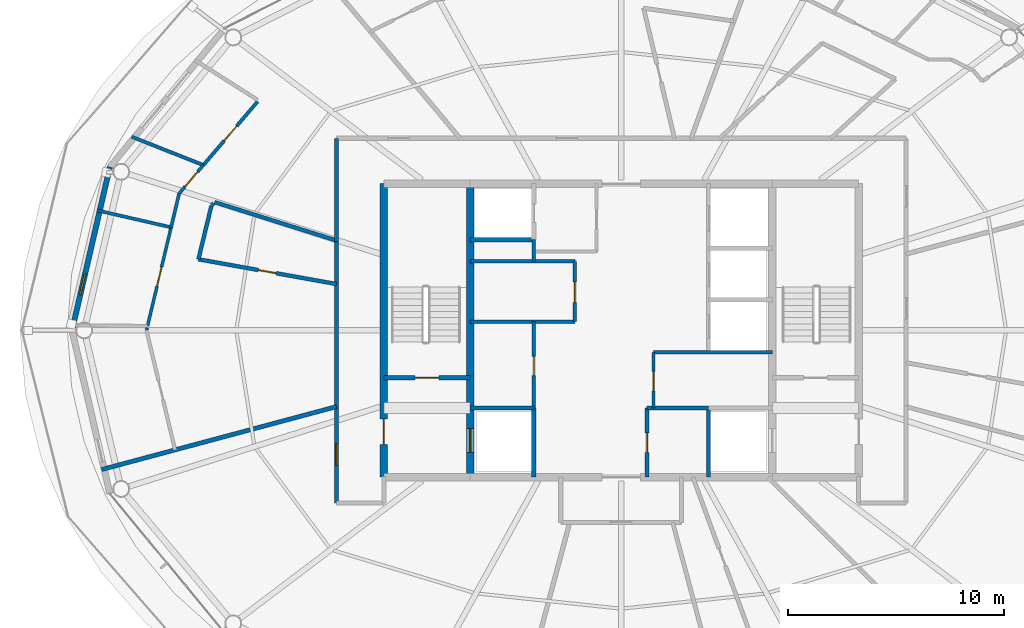
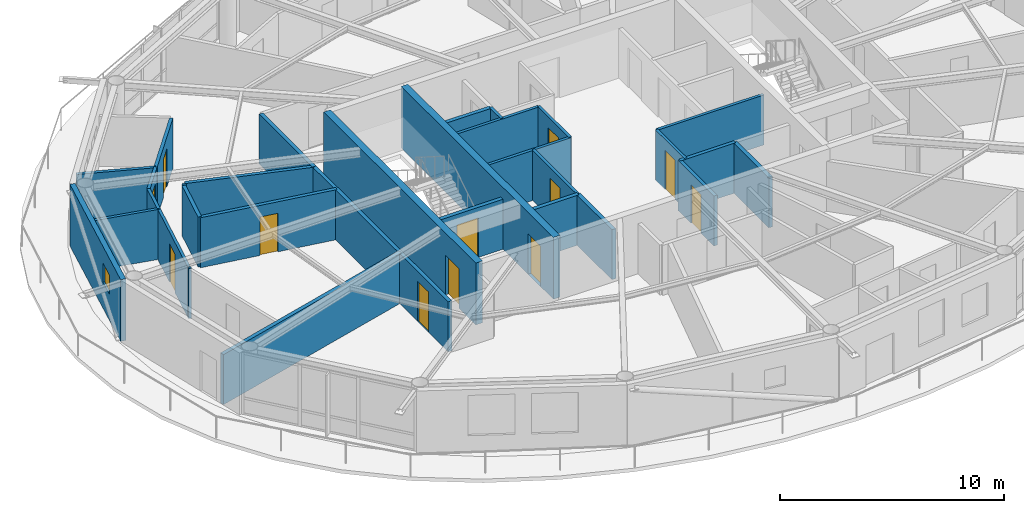
# One storey, part 16 of 23: 31 walls, 12 doors, 1 window, 13 openings.
"""IFC4 building model written with IfcOpenShell, lengths in metres."""

from ifc_helpers import new_model, si_unit, direction, frame, frame_2d, origin, place, context, subcontext, project, spatial, rectangle, extrude, material, layer, layer_set, type_object, element, fill, save


model = new_model("IFC4")

# Units and contexts
model_context = context("Model", 3, precision=1e-05, world=origin(), true_north=direction((0.0, 1.0)))
body_context = subcontext(model_context, "Body", "Model", "MODEL_VIEW")
ifc_project = project(units=[si_unit("LENGTHUNIT", "METRE"), si_unit("AREAUNIT", "SQUARE_METRE"), si_unit("VOLUMEUNIT", "CUBIC_METRE"), si_unit("PLANEANGLEUNIT", "RADIAN"), si_unit("MASSUNIT", "GRAM", prefix="KILO")], contexts=[model_context])

# Site, building, storey
site_placement = place(None, origin())
site = spatial("IfcSite", under=ifc_project, at=site_placement, CompositionType="ELEMENT")
building_placement = place(site_placement, origin())
building = spatial("IfcBuilding", under=site, at=building_placement, Name="Sarneth Arch Tower", CompositionType="ELEMENT")
storey_placement = place(building_placement, frame((0.0, 0.0, 269.39990234375)))
storey = spatial("IfcBuildingStorey", under=building, at=storey_placement, Name="L69", CompositionType="ELEMENT", Elevation=269.39990234375)

# Wall, opening, door
ifc_material_1 = material(Name="Concrete C50/60", Category="concrete")
ifc_layer_1 = layer(ifc_material_1, 0.35009765625)
ifc_layer_set_1 = layer_set([ifc_layer_1], Name="Concrete C50/60")
wall_type_1 = type_object("IfcWallType", Name="WALL-CORE-350", PredefinedType="SHEAR", material=ifc_layer_set_1)
wall_1_placement = place(storey_placement, frame((37.0, 35.199951171875, 0.0), z_axis=(0.0, 0.0, 1.0), x_axis=(0.0, 1.0, 0.0)))
wall_1 = element("IfcWall", 1, at=wall_1_placement, inside=storey, type_object=wall_type_1, Name="L69 Core shear wall W", PredefinedType="SHEAR", context=body_context, shape_type="SweptSolid", body=[
    extrude(rectangle(XDim=13.60009765625, YDim=0.35009765625, at=frame_2d((6.800048828125, 0.0))), origin(), (0.0, 0.0, 1.0), 3.3701171875),
])
opening_1_placement = place(wall_1_placement, frame((1.5, 0.0, 0.0)))
opening_1 = element("IfcOpeningElement", 2, at=opening_1_placement, cuts=wall_1, Name="Opening FD-02", PredefinedType="OPENING", context=body_context, shape_type="SweptSolid", body=[
    extrude(rectangle(XDim=1.199951171875, YDim=2.14990234375, at=frame_2d((0.60009765625, 1.074951171875))), frame((0.0, 0.18505859375, 0.0), z_axis=(0.0, -1.0, 0.0), x_axis=(1.0, 0.0, 0.0)), (0.0, 0.0, 1.0), 0.3701171875),
])
ifc_material_2 = material(Name="Galvanised Steel S275 fire door set", Category="steel")
door_type_1 = type_object("IfcDoorType", Name="DR-FD90-1200", OperationType="SINGLE_SWING_LEFT", PredefinedType="DOOR", material=ifc_material_2)
door_1_placement = place(opening_1_placement, origin())
door_1 = element("IfcDoor", 3, at=door_1_placement, inside=storey, type_object=door_type_1, Name="L69 Firefighting lobby 1 exit door", OperationType="SINGLE_SWING_LEFT", OverallHeight=2.14990234375, OverallWidth=1.199951171875, PredefinedType="DOOR", context=body_context, shape_type="SweptSolid", body=[
    extrude(rectangle(XDim=1.199951171875, YDim=2.14990234375, at=frame_2d((0.60009765625, 1.074951171875))), frame((0.0, 0.02490234375, 0.0), z_axis=(0.0, -1.0, 0.0), x_axis=(1.0, 0.0, 0.0)), (0.0, 0.0, 1.0), 0.050048828125),
])
fill(opening_1, door_1)

wall_2_placement = place(storey_placement, frame((41.0, 35.199951171875, 0.0), z_axis=(0.0, 0.0, 1.0), x_axis=(0.0, 1.0, 0.0)))
wall_2 = element("IfcWall", 4, at=wall_2_placement, inside=storey, type_object=wall_type_1, Name="L69 Core shear wall WEB-W", PredefinedType="SHEAR", context=body_context, shape_type="SweptSolid", body=[
    extrude(rectangle(XDim=13.60009765625, YDim=0.35009765625, at=frame_2d((6.800048828125, 0.0))), origin(), (0.0, 0.0, 1.0), 3.3701171875),
])
opening_2_placement = place(wall_2_placement, frame((1.14990234375, 0.0, 0.0)))
opening_2 = element("IfcOpeningElement", 5, at=opening_2_placement, cuts=wall_2, Name="Opening LD-1", PredefinedType="OPENING", context=body_context, shape_type="SweptSolid", body=[
    extrude(rectangle(XDim=1.10009765625, YDim=2.199951171875, at=frame_2d((0.550048828125, 1.10009765625))), frame((0.0, 0.18505859375, 0.0), z_axis=(0.0, -1.0, 0.0), x_axis=(1.0, 0.0, 0.0)), (0.0, 0.0, 1.0), 0.3701171875),
])
ifc_material_3 = material(Name="Brushed Stainless Steel 304 lift landing door", Category="steel")
door_type_2 = type_object("IfcDoorType", Name="DR-LIFT-SLIDE-1100", OperationType="SLIDING_TO_LEFT", PredefinedType="DOOR", material=ifc_material_3)
door_2_placement = place(opening_2_placement, origin())
door_2 = element("IfcDoor", 6, at=door_2_placement, inside=storey, type_object=door_type_2, Name="L69 Firefighting lift landing door FL-1", OperationType="SLIDING_TO_LEFT", OverallHeight=2.199951171875, OverallWidth=1.10009765625, PredefinedType="DOOR", context=body_context, shape_type="SweptSolid", body=[
    extrude(rectangle(XDim=1.10009765625, YDim=2.199951171875, at=frame_2d((0.550048828125, 1.10009765625))), frame((0.0, 0.02490234375, 0.0), z_axis=(0.0, -1.0, 0.0), x_axis=(1.0, 0.0, 0.0)), (0.0, 0.0, 1.0), 0.050048828125),
])
fill(opening_2, door_2)

ifc_material_4 = material(Name="Double steel-stud corridor fire wall", Category="steel")
ifc_layer_2 = layer(ifc_material_4, 0.18994140625)
ifc_layer_set_2 = layer_set([ifc_layer_2], Name="Double steel-stud corridor fire wall")
wall_type_2 = type_object("IfcWallType", Name="WALL-CORR-190", PredefinedType="PARTITIONING", material=ifc_layer_set_2)
wall_3_placement = place(storey_placement, frame((34.800048828125, 34.0, 0.0), z_axis=(0.0, 0.0, 1.0), x_axis=(0.0, 1.0, 0.0)))
wall_3 = element("IfcWall", 7, at=wall_3_placement, inside=storey, type_object=wall_type_2, Name="L69 Interior partition W-L69-TP-007", PredefinedType="PARTITIONING", context=body_context, shape_type="SweptSolid", body=[
    extrude(rectangle(XDim=12.195556640625, YDim=0.18994140625, at=frame_2d((6.09765625, 0.0))), origin(), (0.0, 0.0, 1.0), 2.72998046875),
])
opening_3_placement = place(wall_3_placement, frame((1.748046875, 0.0, 0.0)))
opening_3 = element("IfcOpeningElement", 8, at=opening_3_placement, cuts=wall_3, Name="Opening FD-08", PredefinedType="OPENING", context=body_context, shape_type="SweptSolid", body=[
    extrude(rectangle(XDim=1.0, YDim=2.199951171875, at=frame_2d((0.5, 1.10009765625))), frame((0.0, 0.10498046875, 0.0), z_axis=(0.0, -1.0, 0.0), x_axis=(1.0, 0.0, 0.0)), (0.0, 0.0, 1.0), 0.2099609375),
])
ifc_material_5 = material(Name="Hardwood timber acoustic fire door", Category="wood")
door_type_3 = type_object("IfcDoorType", Name="DR-FD60-1000", OperationType="SINGLE_SWING_LEFT", PredefinedType="DOOR", material=ifc_material_5)
door_3_placement = place(opening_3_placement, origin())
door_3 = element("IfcDoor", 9, at=door_3_placement, inside=storey, type_object=door_type_3, Name="L69 Interior door DR-L69-RAMN-04", OperationType="SINGLE_SWING_LEFT", OverallHeight=2.199951171875, OverallWidth=1.0, PredefinedType="DOOR", context=body_context, shape_type="SweptSolid", body=[
    extrude(rectangle(XDim=1.0, YDim=2.199951171875, at=frame_2d((0.5, 1.10009765625))), frame((0.0, 0.02490234375, 0.0), z_axis=(0.0, -1.0, 0.0), x_axis=(1.0, 0.0, 0.0)), (0.0, 0.0, 1.0), 0.050048828125),
])
fill(opening_3, door_3)

# Wall
wall_4_placement = place(storey_placement, frame((34.800048828125, 46.12841796875, 0.0), z_axis=(0.0, 0.0, 1.0), x_axis=(0.0, 1.0, 0.0)))
element("IfcWall", 10, at=wall_4_placement, inside=storey, type_object=wall_type_2, Name="L69 Interior partition W-L69-TP-008", PredefinedType="PARTITIONING", context=body_context, shape_type="SweptSolid", body=[
    extrude(rectangle(XDim=4.771484375, YDim=0.18994140625, at=frame_2d((2.3857421875, 0.0))), origin(), (0.0, 0.0, 1.0), 2.72998046875),
])

# Wall, opening, window
ifc_material_6 = material(Name="Extruded terracotta rainscreen on Concrete C40/50 backing", Category="masonry")
ifc_layer_3 = layer(ifc_material_6, 0.25)
ifc_layer_set_3 = layer_set([ifc_layer_3], Name="Extruded terracotta rainscreen on Concrete C40/50 backing")
wall_type_3 = type_object("IfcWallType", Name="WALL-EXT-SPAND-250", PredefinedType="SOLIDWALL", material=ifc_layer_set_3)
wall_5_placement = place(storey_placement, frame((24.30615234375, 49.569580078125, 0.0), z_axis=(0.0, 0.0, 1.0), x_axis=(-0.225635078214, -0.974211892495, 0.0)))
wall_5 = element("IfcWall", 11, at=wall_5_placement, inside=storey, type_object=wall_type_3, Name="L69 Terracotta perimeter wall 08", PredefinedType="SOLIDWALL", context=body_context, shape_type="SweptSolid", body=[
    extrude(rectangle(XDim=7.77001953125, YDim=0.25, at=frame_2d((3.885009765625, 0.0))), origin(), (0.0, 0.0, 1.0), 3.3701171875),
])
opening_4_placement = place(wall_5_placement, frame((5.07763671875, 0.0, 1.419921875)))
opening_4 = element("IfcOpeningElement", 12, at=opening_4_placement, cuts=wall_5, Name="Opening W-14", PredefinedType="OPENING", context=body_context, shape_type="SweptSolid", body=[
    extrude(rectangle(XDim=1.0, YDim=1.050048828125, at=frame_2d((0.5, 0.52490234375))), frame((0.0, 0.135009765625, 0.0), z_axis=(0.0, -1.0, 0.0), x_axis=(1.0, 0.0, 0.0)), (0.0, 0.0, 1.0), 0.27001953125),
])
ifc_material_7 = material(Name="Thermally broken Aluminium 6063-T6 and low-e laminated IGU", Category="aluminium")
window_type = type_object("IfcWindowType", Name="WIN-TWR-1000x1050", PartitioningType="SINGLE_PANEL", PredefinedType="WINDOW", material=ifc_material_7)
window_placement = place(opening_4_placement, origin())
window = element("IfcWindow", 13, at=window_placement, inside=storey, type_object=window_type, Name="L69 Dwelling bedroom window 03", OverallHeight=1.050048828125, OverallWidth=1.0, PartitioningType="SINGLE_PANEL", PredefinedType="WINDOW", context=body_context, shape_type="SweptSolid", body=[
    extrude(rectangle(XDim=1.0, YDim=1.050048828125, at=frame_2d((0.5, 0.52490234375))), frame((0.0, 0.030029296875, 0.0), z_axis=(0.0, -1.0, 0.0), x_axis=(1.0, 0.0, 0.0)), (0.0, 0.0, 1.0), 0.06005859375),
])
fill(opening_4, window)

# Wall, opening, door
ifc_material_8 = material(Name="Apartment internal stud partition", Category="gypsum")
ifc_layer_4 = layer(ifc_material_8, 0.139892578125)
ifc_layer_set_4 = layer_set([ifc_layer_4], Name="Apartment internal stud partition")
wall_type_4 = type_object("IfcWallType", Name="WALL-PART-140", PredefinedType="PARTITIONING", material=ifc_layer_set_4)
wall_6_placement = place(storey_placement, frame((27.14404296875, 46.774658203125, 0.0), z_axis=(0.0, 0.0, 1.0), x_axis=(-0.232320140936, -0.972639374134, 0.0)))
wall_6 = element("IfcWall", 14, at=wall_6_placement, inside=storey, type_object=wall_type_4, Name="L69 Interior partition W-L69-TP-064", PredefinedType="PARTITIONING", context=body_context, shape_type="SweptSolid", body=[
    extrude(rectangle(XDim=4.70166015625, YDim=0.139892578125, at=frame_2d((2.350830078125, 0.0))), origin(), (0.0, 0.0, 1.0), 2.72998046875),
])
opening_5_placement = place(wall_6_placement, frame((1.90087890625, 0.0, 0.0)))
opening_5 = element("IfcOpeningElement", 15, at=opening_5_placement, cuts=wall_6, Name="Opening ID-01", PredefinedType="OPENING", context=body_context, shape_type="SweptSolid", body=[
    extrude(rectangle(XDim=0.89990234375, YDim=2.10009765625, at=frame_2d((0.449951171875, 1.050048828125))), frame((0.0, 0.079833984375, 0.0), z_axis=(0.0, -1.0, 0.0), x_axis=(1.0, 0.0, 0.0)), (0.0, 0.0, 1.0), 0.159912109375),
])
ifc_material_9 = material(Name="Engineered hardwood flush door", Category="wood")
door_type_4 = type_object("IfcDoorType", Name="DR-INT-900", OperationType="SINGLE_SWING_LEFT", PredefinedType="DOOR", material=ifc_material_9)
door_4_placement = place(opening_5_placement, origin())
door_4 = element("IfcDoor", 16, at=door_4_placement, inside=storey, type_object=door_type_4, Name="L69 Interior door DR-L69-U3-BED1", OperationType="SINGLE_SWING_RIGHT", OverallHeight=2.10009765625, OverallWidth=0.89990234375, PredefinedType="DOOR", context=body_context, shape_type="SweptSolid", body=[
    extrude(rectangle(XDim=0.89990234375, YDim=2.10009765625, at=frame_2d((0.449951171875, 1.050048828125))), frame((0.0, 0.02490234375, 0.0), z_axis=(0.0, -1.0, 0.0), x_axis=(1.0, 0.0, 0.0)), (0.0, 0.0, 1.0), 0.050048828125),
])
fill(opening_5, door_4)

ifc_material_10 = material(Name="Acoustic gypsum stud partition", Category="gypsum")
ifc_layer_5 = layer(ifc_material_10, 0.14990234375)
ifc_layer_set_5 = layer_set([ifc_layer_5], Name="Acoustic gypsum stud partition")
wall_type_5 = type_object("IfcWallType", Name="WALL-PART-150", PredefinedType="PARTITIONING", material=ifc_layer_set_5)
wall_7_placement = place(storey_placement, frame((43.949951171875, 38.39990234375, 0.0), z_axis=(0.0, 0.0, 1.0), x_axis=(0.0, 1.0, 0.0)))
wall_7 = element("IfcWall", 17, at=wall_7_placement, inside=storey, type_object=wall_type_5, Name="L69 Interior partition W-L69-RECPL-E", PredefinedType="PARTITIONING", context=body_context, shape_type="SweptSolid", body=[
    extrude(rectangle(XDim=4.0, YDim=0.14990234375, at=frame_2d((2.0, 0.0))), origin(), (0.0, 0.0, 1.0), 2.72998046875),
])
opening_6_placement = place(wall_7_placement, frame((1.5, 0.0, 0.0)))
opening_6 = element("IfcOpeningElement", 18, at=opening_6_placement, cuts=wall_7, Name="Opening FD-10", PredefinedType="OPENING", context=body_context, shape_type="SweptSolid", body=[
    extrude(rectangle(XDim=0.89990234375, YDim=2.14990234375, at=frame_2d((0.449951171875, 1.074951171875))), frame((0.0, 0.0849609375, 0.0), z_axis=(0.0, -1.0, 0.0), x_axis=(1.0, 0.0, 0.0)), (0.0, 0.0, 1.0), 0.169921875),
])
ifc_material_11 = material(Name="Galvanised Steel S275 riser/service fire door", Category="steel")
door_type_5 = type_object("IfcDoorType", Name="DR-FD60-900", OperationType="SINGLE_SWING_LEFT", PredefinedType="DOOR", material=ifc_material_11)
door_5_placement = place(opening_6_placement, origin())
door_5 = element("IfcDoor", 19, at=door_5_placement, inside=storey, type_object=door_type_5, Name="L69 Interior door DR-L69-RECPL", OperationType="SINGLE_SWING_LEFT", OverallHeight=2.14990234375, OverallWidth=0.89990234375, PredefinedType="DOOR", context=body_context, shape_type="SweptSolid", body=[
    extrude(rectangle(XDim=0.89990234375, YDim=2.14990234375, at=frame_2d((0.449951171875, 1.074951171875))), frame((0.0, 0.02490234375, 0.0), z_axis=(0.0, -1.0, 0.0), x_axis=(1.0, 0.0, 0.0)), (0.0, 0.0, 1.0), 0.050048828125),
])
fill(opening_6, door_5)

# Walls
for number, where, z_axis, x_axis, name in (
    (20, (41.0, 42.39990234375, 0.0), (0.0, 0.0, 1.0), (1.0, 0.0, 0.0), "L69 Interior partition W-L69-RECPM1-S"),
    (21, (41.0, 45.199951171875, 0.0), (0.0, 0.0, 1.0), (1.0, 0.0, 0.0), "L69 Interior partition W-L69-RECPM1-N"),
):
    element("IfcWall", number, at=place(storey_placement, frame(where, z_axis=z_axis, x_axis=x_axis)), inside=storey, type_object=wall_type_5, Name=name, PredefinedType="PARTITIONING", context=body_context, shape_type="SweptSolid", body=[
        extrude(rectangle(XDim=4.85009765625, YDim=0.14990234375, at=frame_2d((2.425048828125, 0.0))), origin(), (0.0, 0.0, 1.0), 2.72998046875),
    ])
wall_8_placement = place(storey_placement, frame((43.949951171875, 45.199951171875, 0.0), z_axis=(0.0, 0.0, 1.0), x_axis=(0.0, 1.0, 0.0)))
element("IfcWall", 22, at=wall_8_placement, inside=storey, type_object=wall_type_5, Name="L69 Interior partition W-L69-RECPM1-W2", PredefinedType="PARTITIONING", context=body_context, shape_type="SweptSolid", body=[
    extrude(rectangle(XDim=1.0, YDim=0.14990234375, at=frame_2d((0.5, 0.0))), origin(), (0.0, 0.0, 1.0), 2.72998046875),
])

# Wall, opening, door
wall_9_placement = place(storey_placement, frame((45.85009765625, 42.39990234375, 0.0), z_axis=(0.0, 0.0, 1.0), x_axis=(0.0, 1.0, 0.0)))
wall_9 = element("IfcWall", 23, at=wall_9_placement, inside=storey, type_object=wall_type_5, Name="L69 Interior partition W-L69-RECPM1-E", PredefinedType="PARTITIONING", context=body_context, shape_type="SweptSolid", body=[
    extrude(rectangle(XDim=2.800048828125, YDim=0.14990234375, at=frame_2d((1.39990234375, 0.0))), origin(), (0.0, 0.0, 1.0), 2.72998046875),
])
opening_7_placement = place(wall_9_placement, frame((0.89990234375, 0.0, 0.0)))
opening_7 = element("IfcOpeningElement", 24, at=opening_7_placement, cuts=wall_9, Name="Opening FD-09", PredefinedType="OPENING", context=body_context, shape_type="SweptSolid", body=[
    extrude(rectangle(XDim=0.949951171875, YDim=2.14990234375, at=frame_2d((0.47509765625, 1.074951171875))), frame((0.0, 0.0849609375, 0.0), z_axis=(0.0, -1.0, 0.0), x_axis=(1.0, 0.0, 0.0)), (0.0, 0.0, 1.0), 0.169921875),
])
ifc_material_12 = material(Name="Hardwood timber hotel entrance fire door", Category="wood")
door_type_6 = type_object("IfcDoorType", Name="DR-FD60-950", OperationType="SINGLE_SWING_RIGHT", PredefinedType="DOOR", material=ifc_material_12)
door_6_placement = place(opening_7_placement, origin())
door_6 = element("IfcDoor", 25, at=door_6_placement, inside=storey, type_object=door_type_6, Name="L69 Interior door DR-L69-RECPM1", OperationType="SINGLE_SWING_RIGHT", OverallHeight=2.14990234375, OverallWidth=0.949951171875, PredefinedType="DOOR", context=body_context, shape_type="SweptSolid", body=[
    extrude(rectangle(XDim=0.949951171875, YDim=2.14990234375, at=frame_2d((0.47509765625, 1.074951171875))), frame((0.0, 0.02490234375, 0.0), z_axis=(0.0, -1.0, 0.0), x_axis=(1.0, 0.0, 0.0)), (0.0, 0.0, 1.0), 0.050048828125),
])
fill(opening_7, door_6)

# Wall
wall_10_placement = place(storey_placement, frame((49.5, 40.97998046875, 0.0), z_axis=(0.0, 0.0, 1.0), x_axis=(1.0, 0.0, 0.0)))
element("IfcWall", 26, at=wall_10_placement, inside=storey, type_object=wall_type_5, Name="L69 Interior partition W-L69-RECPM2-N", PredefinedType="PARTITIONING", context=body_context, shape_type="SweptSolid", body=[
    extrude(rectangle(XDim=5.5, YDim=0.14990234375, at=frame_2d((2.75, 0.0))), origin(), (0.0, 0.0, 1.0), 2.72998046875),
])

# Wall, opening, door
wall_11_placement = place(storey_placement, frame((49.5, 38.39990234375, 0.0), z_axis=(0.0, 0.0, 1.0), x_axis=(0.0, 1.0, 0.0)))
wall_11 = element("IfcWall", 27, at=wall_11_placement, inside=storey, type_object=wall_type_5, Name="L69 Interior partition W-L69-RECPM2-W", PredefinedType="PARTITIONING", context=body_context, shape_type="SweptSolid", body=[
    extrude(rectangle(XDim=2.580078125, YDim=0.14990234375, at=frame_2d((1.2900390625, 0.0))), origin(), (0.0, 0.0, 1.0), 2.72998046875),
])
opening_8_placement = place(wall_11_placement, frame((0.800048828125, 0.0, 0.0)))
opening_8 = element("IfcOpeningElement", 28, at=opening_8_placement, cuts=wall_11, Name="Opening FD-10", PredefinedType="OPENING", context=body_context, shape_type="SweptSolid", body=[
    extrude(rectangle(XDim=0.89990234375, YDim=2.14990234375, at=frame_2d((0.449951171875, 1.074951171875))), frame((0.0, 0.0849609375, 0.0), z_axis=(0.0, -1.0, 0.0), x_axis=(1.0, 0.0, 0.0)), (0.0, 0.0, 1.0), 0.169921875),
])
door_7_placement = place(opening_8_placement, origin())
door_7 = element("IfcDoor", 29, at=door_7_placement, inside=storey, type_object=door_type_5, Name="L69 Interior door DR-L69-RECPM2", OperationType="SINGLE_SWING_LEFT", OverallHeight=2.14990234375, OverallWidth=0.89990234375, PredefinedType="DOOR", context=body_context, shape_type="SweptSolid", body=[
    extrude(rectangle(XDim=0.89990234375, YDim=2.14990234375, at=frame_2d((0.449951171875, 1.074951171875))), frame((0.0, 0.02490234375, 0.0), z_axis=(0.0, -1.0, 0.0), x_axis=(1.0, 0.0, 0.0)), (0.0, 0.0, 1.0), 0.050048828125),
])
fill(opening_8, door_7)

# Wall
wall_12_placement = place(storey_placement, frame((23.71728515625, 47.55908203125, 0.0), z_axis=(0.0, 0.0, 1.0), x_axis=(0.974786474408, -0.223139708056, 0.0)))
element("IfcWall", 30, at=wall_12_placement, inside=storey, type_object=wall_type_5, Name="L69 Interior partition W-L69-TP-069", PredefinedType="PARTITIONING", context=body_context, shape_type="SweptSolid", body=[
    extrude(rectangle(XDim=3.515380859375, YDim=0.14990234375, at=frame_2d((1.7578125, 0.0))), origin(), (0.0, 0.0, 1.0), 2.72998046875),
])

# Wall, opening, door
wall_13_placement = place(storey_placement, frame((28.63916015625, 49.6572265625, 0.0), z_axis=(0.0, 0.0, 1.0), x_axis=(-0.649228439324, -0.760593474579, 0.0)))
wall_13 = element("IfcWall", 31, at=wall_13_placement, inside=storey, type_object=wall_type_5, Name="L69 Interior partition W-L69-TP-056", PredefinedType="PARTITIONING", context=body_context, shape_type="SweptSolid", body=[
    extrude(rectangle(XDim=1.725341796875, YDim=0.14990234375, at=frame_2d((0.86279296875, 0.0))), origin(), (0.0, 0.0, 1.0), 2.72998046875),
])
opening_9_placement = place(wall_13_placement, frame((0.41259765625, 0.0, 0.0)))
opening_9 = element("IfcOpeningElement", 32, at=opening_9_placement, cuts=wall_13, Name="Opening ID-01", PredefinedType="OPENING", context=body_context, shape_type="SweptSolid", body=[
    extrude(rectangle(XDim=0.89990234375, YDim=2.10009765625, at=frame_2d((0.449951171875, 1.050048828125))), frame((0.0, 0.0849609375, 0.0), z_axis=(0.0, -1.0, 0.0), x_axis=(1.0, 0.0, 0.0)), (0.0, 0.0, 1.0), 0.169921875),
])
door_8_placement = place(opening_9_placement, origin())
door_8 = element("IfcDoor", 33, at=door_8_placement, inside=storey, type_object=door_type_4, Name="L69 Interior door DR-L69-U3-STD", OperationType="SINGLE_SWING_RIGHT", OverallHeight=2.10009765625, OverallWidth=0.89990234375, PredefinedType="DOOR", context=body_context, shape_type="SweptSolid", body=[
    extrude(rectangle(XDim=0.89990234375, YDim=2.10009765625, at=frame_2d((0.449951171875, 1.050048828125))), frame((0.0, 0.02490234375, 0.0), z_axis=(0.0, -1.0, 0.0), x_axis=(1.0, 0.0, 0.0)), (0.0, 0.0, 1.0), 0.050048828125),
])
fill(opening_9, door_8)

# Walls
wall_14_placement = place(storey_placement, frame((27.51904296875, 48.344970703125, 0.0), z_axis=(0.0, 0.0, 1.0), x_axis=(-0.232274682056, -0.972650231109, 0.0)))
element("IfcWall", 34, at=wall_14_placement, inside=storey, type_object=wall_type_5, Name="L69 Interior partition W-L69-TP-057", PredefinedType="PARTITIONING", context=body_context, shape_type="SweptSolid", body=[
    extrude(rectangle(XDim=1.614501953125, YDim=0.14990234375, at=frame_2d((0.80712890625, 0.0))), origin(), (0.0, 0.0, 1.0), 2.72998046875),
])
wall_15_placement = place(storey_placement, frame((26.033203125, 42.123779296875, 0.0), z_axis=(0.0, 0.0, 1.0), x_axis=(-0.232339008139, -0.972634867407, 0.0)))
element("IfcWall", 35, at=wall_15_placement, inside=storey, type_object=wall_type_5, Name="L69 Interior partition W-L69-TP-065", PredefinedType="PARTITIONING", context=body_context, shape_type="SweptSolid", body=[
    extrude(rectangle(XDim=0.107177734375, YDim=0.14990234375, at=frame_2d((0.0537109375, 0.0))), origin(), (0.0, 0.0, 1.0), 2.72998046875),
])

# Wall, opening, door
ifc_material_13 = material(Name="Kitchen wet service chase wall", Category="gypsum")
ifc_layer_6 = layer(ifc_material_13, 0.159912109375)
ifc_layer_set_6 = layer_set([ifc_layer_6], Name="Kitchen wet service chase wall")
wall_type_6 = type_object("IfcWallType", Name="WALL-PLUMB-160", PredefinedType="PLUMBINGWALL", material=ifc_layer_set_6)
wall_16_placement = place(storey_placement, frame((31.14990234375, 52.598876953125, 0.0), z_axis=(0.0, 0.0, 1.0), x_axis=(-0.649199141965, -0.760618481285, 0.0)))
wall_16 = element("IfcWall", 36, at=wall_16_placement, inside=storey, type_object=wall_type_6, Name="L69 Interior partition W-L69-TP-059", PredefinedType="PLUMBINGWALL", context=body_context, shape_type="SweptSolid", body=[
    extrude(rectangle(XDim=3.867431640625, YDim=0.159912109375, at=frame_2d((1.93359375, 0.0))), origin(), (0.0, 0.0, 1.0), 2.72998046875),
])
opening_10_placement = place(wall_16_placement, frame((1.48388671875, 0.0, 0.0)))
opening_10 = element("IfcOpeningElement", 37, at=opening_10_placement, cuts=wall_16, Name="Opening ID-01", PredefinedType="OPENING", context=body_context, shape_type="SweptSolid", body=[
    extrude(rectangle(XDim=0.89990234375, YDim=2.10009765625, at=frame_2d((0.449951171875, 1.050048828125))), frame((0.0, 0.08984375, 0.0), z_axis=(0.0, -1.0, 0.0), x_axis=(1.0, 0.0, 0.0)), (0.0, 0.0, 1.0), 0.179931640625),
])
door_9_placement = place(opening_10_placement, origin())
door_9 = element("IfcDoor", 38, at=door_9_placement, inside=storey, type_object=door_type_4, Name="L69 Interior door DR-L69-U3-KIT", OperationType="SINGLE_SWING_RIGHT", OverallHeight=2.10009765625, OverallWidth=0.89990234375, PredefinedType="DOOR", context=body_context, shape_type="SweptSolid", body=[
    extrude(rectangle(XDim=0.89990234375, YDim=2.10009765625, at=frame_2d((0.449951171875, 1.050048828125))), frame((0.0, 0.02490234375, 0.0), z_axis=(0.0, -1.0, 0.0), x_axis=(1.0, 0.0, 0.0)), (0.0, 0.0, 1.0), 0.050048828125),
])
fill(opening_10, door_9)

# Walls
wall_17_placement = place(storey_placement, frame((25.318115234375, 50.970703125, 0.0), z_axis=(0.0, 0.0, 1.0), x_axis=(0.929912335167, -0.36778125143, 0.0)))
element("IfcWall", 39, at=wall_17_placement, inside=storey, type_object=wall_type_6, Name="L69 Interior partition W-L69-TP-068", PredefinedType="PLUMBINGWALL", context=body_context, shape_type="SweptSolid", body=[
    extrude(rectangle(XDim=3.5712890625, YDim=0.159912109375, at=frame_2d((1.78564453125, 0.0))), origin(), (0.0, 0.0, 1.0), 2.72998046875),
])
ifc_material_14 = material(Name="Moisture-resistant plumbing chase wall", Category="gypsum")
ifc_layer_7 = layer(ifc_material_14, 0.179931640625)
ifc_layer_set_7 = layer_set([ifc_layer_7], Name="Moisture-resistant plumbing chase wall")
wall_type_7 = type_object("IfcWallType", Name="WALL-PLUMB-180", PredefinedType="PLUMBINGWALL", material=ifc_layer_set_7)
wall_18_placement = place(storey_placement, frame((49.199951171875, 38.39990234375, 0.0), z_axis=(0.0, 0.0, 1.0), x_axis=(1.0, 0.0, 0.0)))
element("IfcWall", 40, at=wall_18_placement, inside=storey, type_object=wall_type_7, Name="L69 Interior partition W-L69-AWC-N", PredefinedType="PLUMBINGWALL", context=body_context, shape_type="SweptSolid", body=[
    extrude(rectangle(XDim=2.85009765625, YDim=0.179931640625, at=frame_2d((1.425048828125, 0.0))), origin(), (0.0, 0.0, 1.0), 2.72998046875),
])

# Wall, opening, door
wall_19_placement = place(storey_placement, frame((49.199951171875, 35.199951171875, 0.0), z_axis=(0.0, 0.0, 1.0), x_axis=(0.0, 1.0, 0.0)))
wall_19 = element("IfcWall", 41, at=wall_19_placement, inside=storey, type_object=wall_type_7, Name="L69 Interior partition W-L69-AWC-W", PredefinedType="PLUMBINGWALL", context=body_context, shape_type="SweptSolid", body=[
    extrude(rectangle(XDim=3.199951171875, YDim=0.179931640625, at=frame_2d((1.60009765625, 0.0))), origin(), (0.0, 0.0, 1.0), 2.72998046875),
])
opening_11_placement = place(wall_19_placement, frame((1.14990234375, 0.0, 0.0)))
opening_11 = element("IfcOpeningElement", 42, at=opening_11_placement, cuts=wall_19, Name="Opening ID-01", PredefinedType="OPENING", context=body_context, shape_type="SweptSolid", body=[
    extrude(rectangle(XDim=0.89990234375, YDim=2.10009765625, at=frame_2d((0.449951171875, 1.050048828125))), frame((0.0, 0.099853515625, 0.0), z_axis=(0.0, -1.0, 0.0), x_axis=(1.0, 0.0, 0.0)), (0.0, 0.0, 1.0), 0.199951171875),
])
door_10_placement = place(opening_11_placement, origin())
door_10 = element("IfcDoor", 43, at=door_10_placement, inside=storey, type_object=door_type_4, Name="L69 Interior door DR-L69-AWC", OperationType="SINGLE_SWING_RIGHT", OverallHeight=2.10009765625, OverallWidth=0.89990234375, PredefinedType="DOOR", context=body_context, shape_type="SweptSolid", body=[
    extrude(rectangle(XDim=0.89990234375, YDim=2.10009765625, at=frame_2d((0.449951171875, 1.050048828125))), frame((0.0, 0.02490234375, 0.0), z_axis=(0.0, -1.0, 0.0), x_axis=(1.0, 0.0, 0.0)), (0.0, 0.0, 1.0), 0.050048828125),
])
fill(opening_11, door_10)

wall_20_placement = place(storey_placement, frame((28.409423828125, 45.2939453125, 0.0), z_axis=(0.0, 0.0, 1.0), x_axis=(0.984253263435, -0.176764004867, 0.0)))
wall_20 = element("IfcWall", 44, at=wall_20_placement, inside=storey, type_object=wall_type_7, Name="L69 Interior partition W-L69-TP-063", PredefinedType="PLUMBINGWALL", context=body_context, shape_type="SweptSolid", body=[
    extrude(rectangle(XDim=6.492919921875, YDim=0.179931640625, at=frame_2d((3.24658203125, 0.0))), origin(), (0.0, 0.0, 1.0), 2.72998046875),
])
opening_12_placement = place(wall_20_placement, frame((2.8212890625, 0.0, 0.0)))
opening_12 = element("IfcOpeningElement", 45, at=opening_12_placement, cuts=wall_20, Name="Opening ID-02", PredefinedType="OPENING", context=body_context, shape_type="SweptSolid", body=[
    extrude(rectangle(XDim=0.85009765625, YDim=2.10009765625, at=frame_2d((0.425048828125, 1.050048828125))), frame((0.0, 0.099853515625, 0.0), z_axis=(0.0, -1.0, 0.0), x_axis=(1.0, 0.0, 0.0)), (0.0, 0.0, 1.0), 0.199951171875),
])
ifc_material_15 = material(Name="Moisture-resistant bathroom timber door", Category="wood")
door_type_7 = type_object("IfcDoorType", Name="DR-INT-850", OperationType="SINGLE_SWING_RIGHT", PredefinedType="DOOR", material=ifc_material_15)
door_11_placement = place(opening_12_placement, origin())
door_11 = element("IfcDoor", 46, at=door_11_placement, inside=storey, type_object=door_type_7, Name="L69 Interior door DR-L69-U3-BATH", OperationType="SINGLE_SWING_RIGHT", OverallHeight=2.10009765625, OverallWidth=0.85009765625, PredefinedType="DOOR", context=body_context, shape_type="SweptSolid", body=[
    extrude(rectangle(XDim=0.85009765625, YDim=2.10009765625, at=frame_2d((0.425048828125, 1.050048828125))), frame((0.0, 0.02490234375, 0.0), z_axis=(0.0, -1.0, 0.0), x_axis=(1.0, 0.0, 0.0)), (0.0, 0.0, 1.0), 0.050048828125),
])
fill(opening_12, door_11)

# Walls
wall_21_placement = place(storey_placement, frame((34.800048828125, 46.161865234375, 0.0), z_axis=(0.0, 0.0, 1.0), x_axis=(-0.953717336958, 0.3007045746, 0.0)))
element("IfcWall", 47, at=wall_21_placement, inside=storey, type_object=wall_type_7, Name="L69 Interior partition W-L69-TP-060", PredefinedType="PLUMBINGWALL", context=body_context, shape_type="SweptSolid", body=[
    extrude(rectangle(XDim=5.913818359375, YDim=0.179931640625, at=frame_2d((2.95703125, 0.0))), origin(), (0.0, 0.0, 1.0), 2.72998046875),
])
wall_22_placement = place(storey_placement, frame((29.012451171875, 47.77099609375, 0.0), z_axis=(0.0, 0.0, 1.0), x_axis=(-0.236537291112, -0.971622411183, 0.0)))
element("IfcWall", 48, at=wall_22_placement, inside=storey, type_object=wall_type_7, Name="L69 Interior partition W-L69-TP-062", PredefinedType="PLUMBINGWALL", context=body_context, shape_type="SweptSolid", body=[
    extrude(rectangle(XDim=2.54931640625, YDim=0.179931640625, at=frame_2d((1.274658203125, 0.0))), origin(), (0.0, 0.0, 1.0), 2.72998046875),
])
wall_23_placement = place(storey_placement, frame((29.115234375, 47.888916015625, 0.0), z_axis=(0.0, 0.0, 1.0), x_axis=(-0.657024535632, -0.753869192618, 0.0)))
element("IfcWall", 49, at=wall_23_placement, inside=storey, type_object=wall_type_7, Name="L69 Interior partition W-L69-TP-061", PredefinedType="PLUMBINGWALL", context=body_context, shape_type="SweptSolid", body=[
    extrude(rectangle(XDim=0.128662109375, YDim=0.179931640625, at=frame_2d((0.064453125, 0.0))), origin(), (0.0, 0.0, 1.0), 2.72998046875),
])

# Wall, opening, door
ifc_material_16 = material(Name="Aerated concrete blockwork C25/30", Category="masonry")
ifc_layer_8 = layer(ifc_material_16, 0.199951171875)
ifc_layer_set_8 = layer_set([ifc_layer_8], Name="Aerated concrete blockwork C25/30")
wall_type_8 = type_object("IfcWallType", Name="WALL-SHAFT-200", PredefinedType="SOLIDWALL", material=ifc_layer_set_8)
wall_24_placement = place(storey_placement, frame((37.0, 39.800048828125, 0.0), z_axis=(0.0, 0.0, 1.0), x_axis=(1.0, 0.0, 0.0)))
wall_24 = element("IfcWall", 50, at=wall_24_placement, inside=storey, type_object=wall_type_8, Name="L69 Interior partition W-L69-ST1-S", PredefinedType="SOLIDWALL", context=body_context, shape_type="SweptSolid", body=[
    extrude(rectangle(XDim=4.0, YDim=0.199951171875, at=frame_2d((2.0, 0.0))), origin(), (0.0, 0.0, 1.0), 2.72998046875),
])
opening_13_placement = place(wall_24_placement, frame((1.449951171875, 0.0, 0.0)))
opening_13 = element("IfcOpeningElement", 51, at=opening_13_placement, cuts=wall_24, Name="Opening FD-03", PredefinedType="OPENING", context=body_context, shape_type="SweptSolid", body=[
    extrude(rectangle(XDim=1.10009765625, YDim=2.14990234375, at=frame_2d((0.550048828125, 1.074951171875))), frame((0.0, 0.10986328125, 0.0), z_axis=(0.0, -1.0, 0.0), x_axis=(1.0, 0.0, 0.0)), (0.0, 0.0, 1.0), 0.219970703125),
])
ifc_material_17 = material(Name="Galvanised Steel S275 fire door set", Category="steel")
door_type_8 = type_object("IfcDoorType", Name="DR-FD90-1100", OperationType="SINGLE_SWING_LEFT", PredefinedType="DOOR", material=ifc_material_17)
door_12_placement = place(opening_13_placement, origin())
door_12 = element("IfcDoor", 52, at=door_12_placement, inside=storey, type_object=door_type_8, Name="L69 Interior door DR-L69-ST1", OperationType="SINGLE_SWING_LEFT", OverallHeight=2.14990234375, OverallWidth=1.10009765625, PredefinedType="DOOR", context=body_context, shape_type="SweptSolid", body=[
    extrude(rectangle(XDim=1.10009765625, YDim=2.14990234375, at=frame_2d((0.550048828125, 1.074951171875))), frame((0.0, 0.02490234375, 0.0), z_axis=(0.0, -1.0, 0.0), x_axis=(1.0, 0.0, 0.0)), (0.0, 0.0, 1.0), 0.050048828125),
])
fill(opening_13, door_12)

# Walls
wall_25_placement = place(storey_placement, frame((43.949951171875, 35.199951171875, 0.0), z_axis=(0.0, 0.0, 1.0), x_axis=(0.0, 1.0, 0.0)))
element("IfcWall", 53, at=wall_25_placement, inside=storey, type_object=wall_type_8, Name="L69 Interior partition W-L69-FL1-E", PredefinedType="SOLIDWALL", context=body_context, shape_type="SweptSolid", body=[
    extrude(rectangle(XDim=3.199951171875, YDim=0.199951171875, at=frame_2d((1.60009765625, 0.0))), origin(), (0.0, 0.0, 1.0), 2.72998046875),
])
wall_26_placement = place(storey_placement, frame((41.0, 38.39990234375, 0.0), z_axis=(0.0, 0.0, 1.0), x_axis=(1.0, 0.0, 0.0)))
element("IfcWall", 54, at=wall_26_placement, inside=storey, type_object=wall_type_8, Name="L69 Interior partition W-L69-FL1-N", PredefinedType="SOLIDWALL", context=body_context, shape_type="SweptSolid", body=[
    extrude(rectangle(XDim=2.949951171875, YDim=0.199951171875, at=frame_2d((1.47509765625, 0.0))), origin(), (0.0, 0.0, 1.0), 2.72998046875),
])
wall_27_placement = place(storey_placement, frame((52.050048828125, 35.199951171875, 0.0), z_axis=(0.0, 0.0, 1.0), x_axis=(0.0, 1.0, 0.0)))
element("IfcWall", 55, at=wall_27_placement, inside=storey, type_object=wall_type_8, Name="L69 Interior partition W-L69-FL2-W", PredefinedType="SOLIDWALL", context=body_context, shape_type="SweptSolid", body=[
    extrude(rectangle(XDim=3.199951171875, YDim=0.199951171875, at=frame_2d((1.60009765625, 0.0))), origin(), (0.0, 0.0, 1.0), 2.72998046875),
])
wall_28_placement = place(storey_placement, frame((41.0, 46.199951171875, 0.0), z_axis=(0.0, 0.0, 1.0), x_axis=(1.0, 0.0, 0.0)))
element("IfcWall", 56, at=wall_28_placement, inside=storey, type_object=wall_type_8, Name="L69 Interior partition W-L69-RISER-S", PredefinedType="SOLIDWALL", context=body_context, shape_type="SweptSolid", body=[
    extrude(rectangle(XDim=2.949951171875, YDim=0.199951171875, at=frame_2d((1.47509765625, 0.0))), origin(), (0.0, 0.0, 1.0), 2.72998046875),
])
ifc_material_18 = material(Name="Double steel-stud acoustic drywall", Category="steel")
ifc_layer_9 = layer(ifc_material_18, 0.199951171875)
ifc_layer_set_9 = layer_set([ifc_layer_9], Name="Double steel-stud acoustic drywall")
wall_type_9 = type_object("IfcWallType", Name="WALL-UNIT-200", PredefinedType="PARTITIONING", material=ifc_layer_set_9)
wall_29_placement = place(storey_placement, frame((23.924072265625, 35.548828125, 0.0), z_axis=(0.0, 0.0, 1.0), x_axis=(0.965923661364, 0.258827124578, 0.0)))
element("IfcWall", 57, at=wall_29_placement, inside=storey, type_object=wall_type_9, Name="L69 Interior partition W-L69-TP-067", PredefinedType="PARTITIONING", context=body_context, shape_type="SweptSolid", body=[
    extrude(rectangle(XDim=11.259765625, YDim=0.199951171875, at=frame_2d((5.6298828125, 0.0))), origin(), (0.0, 0.0, 1.0), 2.72998046875),
])

save(model, "model.ifc")
